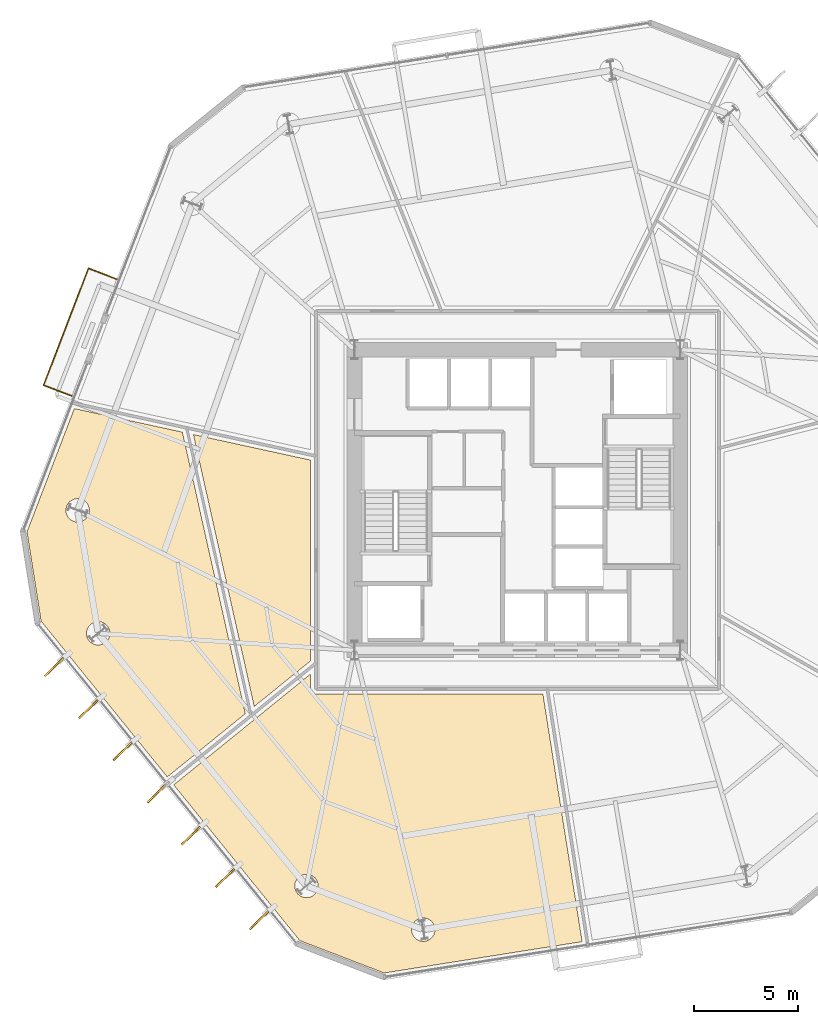
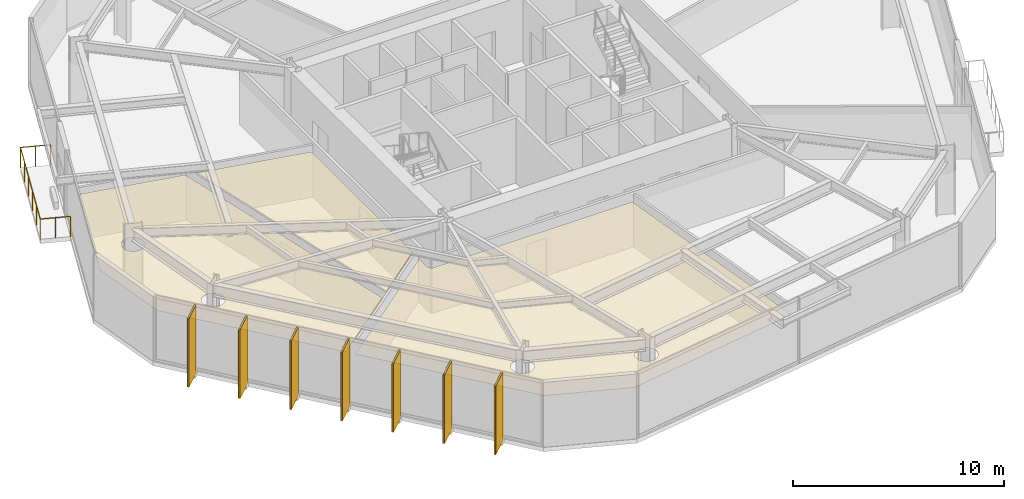
# One storey, part 9 of 11: 10 coverings, 7 shading devices, 1 railing.
"""IFC4 building model written with IfcOpenShell, lengths in metres."""

from ifc_helpers import new_model, si_unit, direction, frame, origin, origin_2d, place, context, subcontext, project, spatial, polyline, rectangle, circle, outline, extrude, material, layer, layer_set, type_object, element, save


model = new_model("IFC4")

# Units and contexts
model_context = context("Model", 3, precision=1e-05, world=origin(), true_north=direction((0.0, 1.0)))
body_context = subcontext(model_context, "Body", "Model", "MODEL_VIEW")
ifc_project = project(units=[si_unit("LENGTHUNIT", "METRE"), si_unit("AREAUNIT", "SQUARE_METRE"), si_unit("VOLUMEUNIT", "CUBIC_METRE"), si_unit("PLANEANGLEUNIT", "RADIAN"), si_unit("MASSUNIT", "GRAM", prefix="KILO")], contexts=[model_context])

# Site, building, storey
site_placement = place(None, origin())
site = spatial("IfcSite", under=ifc_project, at=site_placement, CompositionType="ELEMENT")
building_placement = place(site_placement, origin())
building = spatial("IfcBuilding", under=site, at=building_placement, Name="Kranzbogen Civic Tower", CompositionType="ELEMENT")
storey_placement = place(building_placement, frame((0.0, 0.0, 56.0)))
storey = spatial("IfcBuildingStorey", under=building, at=storey_placement, Name="L13", CompositionType="ELEMENT", Elevation=56.0)

# Coverings
ifc_material_1 = material(Name="Pale Anodised Aluminium", Category="aluminium")
ifc_layer_1 = layer(ifc_material_1, 0.02490234375, Name="Pale Anodised Aluminium")
ifc_layer_set_1 = layer_set([ifc_layer_1], Name="Pale Anodised Aluminium")
covering_type_1 = type_object("IfcCoveringType", Name="Anodised Aluminium Vertical Fin Cladding 25 mm", PredefinedType="CLADDING", material=ifc_layer_set_1)
for number, where, z_axis, x_axis, name in (
    (1, (2.819091796875, 17.0009765625, -0.139892578125), (0.0, 0.0, 1.0), (-0.716180145105, -0.697915467487, 0.0), "L13 vertical fin pale-metal cladding F4-1"),
    (2, (4.455078125, 14.97998046875, -0.139892578125), (0.0, 0.0, 1.0), (-0.716180145105, -0.697915467487, 0.0), "L13 vertical fin pale-metal cladding F4-2"),
    (3, (6.091064453125, 12.958984375, -0.139892578125), (0.0, 0.0, 1.0), (-0.716180145105, -0.697915467487, 0.0), "L13 vertical fin pale-metal cladding F4-3"),
    (4, (7.72705078125, 10.93896484375, -0.139892578125), (0.0, 0.0, 1.0), (-0.716180145105, -0.697915467487, 0.0), "L13 vertical fin pale-metal cladding F4-4"),
    (5, (9.363037109375, 8.91796875, -0.139892578125), (0.0, 0.0, 1.0), (-0.716180145105, -0.697915467487, 0.0), "L13 vertical fin pale-metal cladding F4-5"),
    (6, (11.0, 6.89697265625, -0.139892578125), (0.0, 0.0, 1.0), (-0.716180145105, -0.697915467487, 0.0), "L13 vertical fin pale-metal cladding F4-6"),
    (7, (12.635986328125, 4.876953125, -0.139892578125), (0.0, 0.0, 1.0), (-0.716180145105, -0.697915467487, 0.0), "L13 vertical fin pale-metal cladding F4-7"),
):
    element("IfcCovering", number, at=place(storey_placement, frame(where, z_axis=z_axis, x_axis=x_axis)), inside=storey, type_object=covering_type_1, Name=name, PredefinedType="CLADDING", context=body_context, shape_type="SweptSolid", body=[
        extrude(rectangle(XDim=1.25, YDim=0.10009765625, at=origin_2d()), origin(), (0.0, 0.0, 1.0), 3.9599609375),
    ])

# Shading devices
ifc_material_2 = material(Name="Anodised Bronze Aluminium", Category="aluminium")
shading_device_type = type_object("IfcShadingDeviceType", Name="Anodised Bronze Vertical Facade Fin 1250x80", PredefinedType="USERDEFINED", material=ifc_material_2)
for number, where, z_axis, x_axis, name in (
    (8, (2.819091796875, 17.0009765625, -0.139892578125), (0.0, 0.0, 1.0), (-0.716180145105, -0.697915467487, 0.0), "L13 vertical exterior shading fin F4-1"),
    (9, (4.455078125, 14.97998046875, -0.139892578125), (0.0, 0.0, 1.0), (-0.716180145105, -0.697915467487, 0.0), "L13 vertical exterior shading fin F4-2"),
    (10, (6.091064453125, 12.958984375, -0.139892578125), (0.0, 0.0, 1.0), (-0.716180145105, -0.697915467487, 0.0), "L13 vertical exterior shading fin F4-3"),
    (11, (7.72705078125, 10.93896484375, -0.139892578125), (0.0, 0.0, 1.0), (-0.716180145105, -0.697915467487, 0.0), "L13 vertical exterior shading fin F4-4"),
    (12, (9.363037109375, 8.91796875, -0.139892578125), (0.0, 0.0, 1.0), (-0.716180145105, -0.697915467487, 0.0), "L13 vertical exterior shading fin F4-5"),
    (13, (11.0, 6.89697265625, -0.139892578125), (0.0, 0.0, 1.0), (-0.716180145105, -0.697915467487, 0.0), "L13 vertical exterior shading fin F4-6"),
    (14, (12.635986328125, 4.876953125, -0.139892578125), (0.0, 0.0, 1.0), (-0.716180145105, -0.697915467487, 0.0), "L13 vertical exterior shading fin F4-7"),
):
    element("IfcShadingDevice", number, at=place(storey_placement, frame(where, z_axis=z_axis, x_axis=x_axis)), inside=storey, type_object=shading_device_type, Name=name, ObjectType="FIN", PredefinedType="USERDEFINED", context=body_context, shape_type="SweptSolid", body=[
        extrude(rectangle(XDim=1.25, YDim=0.080078125, at=origin_2d()), origin(), (0.0, 0.0, 1.0), 3.9599609375),
    ])

# Railing
railing_type = type_object("IfcRailingType", Name="Cantilevered Balcony Glass and Bronze Balustrade 1200", PredefinedType="BALUSTRADE", material=ifc_material_2)
railing_placement = place(storey_placement, frame((5.81591796875, 35.576904296875, 0.0)))
element("IfcRailing", 15, at=railing_placement, inside=storey, type_object=railing_type, Name="L13 exterior terrace balustrade L13-TB1", PredefinedType="BALUSTRADE", context=body_context, shape_type="SweptSolid", body=[
    extrude(circle(Radius=0.02392578125, at=origin_2d()), frame((0.0, 0.0, 1.17578125), z_axis=(-0.933519025959, 0.358527862476, 0.0), x_axis=(-0.358527862476, -0.933519025959, 0.0)), (0.0, 0.0, 1.0), 1.450439453125),
    extrude(circle(Radius=0.02392578125, at=origin_2d()), frame((-1.35400390625, 0.52001953125, 1.17578125), z_axis=(-0.358359975202, -0.933583487522, 0.0), x_axis=(0.933583487522, -0.358359975202, 0.0)), (0.0, 0.0, 1.0), 5.999267578125),
    extrude(circle(Radius=0.02392578125, at=origin_2d()), frame((-3.50390625, -5.080810546875, 1.17578125), z_axis=(0.933519025959, -0.358527862476, 0.0), x_axis=(0.358527862476, 0.933519025959, 0.0)), (0.0, 0.0, 1.0), 1.450439453125),
    extrude(circle(Radius=0.02099609375, at=origin_2d()), origin(), (0.0, 0.0, 1.0), 1.15185546875),
    extrude(circle(Radius=0.02099609375, at=origin_2d()), frame((-0.677001953125, 0.260009765625, 0.0)), (0.0, 0.0, 1.0), 1.15185546875),
    extrude(circle(Radius=0.02099609375, at=origin_2d()), frame((-1.35400390625, 0.52001953125, 0.0)), (0.0, 0.0, 1.0), 1.15185546875),
    extrude(circle(Radius=0.02099609375, at=origin_2d()), frame((-1.783935546875, -0.60009765625, 0.0)), (0.0, 0.0, 1.0), 1.15185546875),
    extrude(circle(Radius=0.02099609375, at=origin_2d()), frame((-2.2138671875, -1.72021484375, 0.0)), (0.0, 0.0, 1.0), 1.15185546875),
    extrude(circle(Radius=0.02099609375, at=origin_2d()), frame((-2.64404296875, -2.840576171875, 0.0)), (0.0, 0.0, 1.0), 1.15185546875),
    extrude(circle(Radius=0.02099609375, at=origin_2d()), frame((-3.073974609375, -3.960693359375, 0.0)), (0.0, 0.0, 1.0), 1.15185546875),
    extrude(circle(Radius=0.02099609375, at=origin_2d()), frame((-3.50390625, -5.080810546875, 0.0)), (0.0, 0.0, 1.0), 1.15185546875),
    extrude(circle(Radius=0.02099609375, at=origin_2d()), frame((-2.826904296875, -5.3408203125, 0.0)), (0.0, 0.0, 1.0), 1.15185546875),
    extrude(circle(Radius=0.02099609375, at=origin_2d()), frame((-2.14990234375, -5.600830078125, 0.0)), (0.0, 0.0, 1.0), 1.15185546875),
])

# Coverings
ifc_material_3 = material(Name="Perforated Acoustic Gypsum Ceiling")
ifc_layer_2 = layer(ifc_material_3, 0.02490234375, Name="Perforated Acoustic Gypsum Ceiling")
ifc_layer_set_2 = layer_set([ifc_layer_2], Name="Perforated Acoustic Gypsum Ceiling")
covering_type_2 = type_object("IfcCoveringType", Name="Perforated Acoustic Mineral Ceiling Tile 25 mm", PredefinedType="CEILING", material=ifc_layer_set_2)
covering_1_placement = place(storey_placement, frame((0.0, 0.0, 2.75)))
element("IfcCovering", 16, at=covering_1_placement, inside=storey, type_object=covering_type_2, Name="L13 Ministerial Policy Office acoustic ceiling", PredefinedType="CEILING", context=body_context, shape_type="SweptSolid", body=[
    extrude(outline(polyline([(15.10498046875, 17.302001953125), (12.39892578125, 15.111083984375), (9.487060546875, 28.134033203125), (15.10498046875, 26.908935546875), (15.10498046875, 17.302001953125)])), origin(), (0.0, 0.0, 1.0), 0.02490234375),
])
covering_2_placement = place(storey_placement, frame((0.0, 0.0, 2.75)))
element("IfcCovering", 17, at=covering_2_placement, inside=storey, type_object=covering_type_2, Name="L13 Directorate Admin Workspace acoustic ceiling", PredefinedType="CEILING", context=body_context, shape_type="SweptSolid", body=[
    extrude(outline(polyline([(3.784912109375, 29.37890625), (8.958984375, 28.25), (11.97412109375, 14.76708984375), (8.23388671875, 11.738037109375), (2.194091796875, 19.197998046875), (1.51806640625, 23.470947265625), (3.784912109375, 29.37890625)]), holes=[polyline([(5.445068359375, 18.39990234375), (5.4208984375, 18.35009765625), (5.39306640625, 18.302978515625), (5.360107421875, 18.259033203125), (5.323974609375, 18.218017578125), (5.282958984375, 18.181884765625), (5.239013671875, 18.14892578125), (5.19189453125, 18.12109375), (5.14208984375, 18.096923828125), (5.090087890625, 18.0791015625), (5.037109375, 18.06494140625), (4.98291015625, 18.056884765625), (4.927978515625, 18.054931640625), (4.873046875, 18.056884765625), (4.819091796875, 18.06494140625), (4.76611328125, 18.0791015625), (4.714111328125, 18.096923828125), (4.6640625, 18.12109375), (4.616943359375, 18.14892578125), (4.572998046875, 18.181884765625), (4.531982421875, 18.218017578125), (4.49609375, 18.259033203125), (4.462890625, 18.302978515625), (4.43505859375, 18.35009765625), (4.410888671875, 18.39990234375), (4.39306640625, 18.451904296875), (4.37890625, 18.5048828125), (4.37109375, 18.55908203125), (4.368896484375, 18.614013671875), (4.37109375, 18.6689453125), (4.37890625, 18.722900390625), (4.39306640625, 18.77587890625), (4.410888671875, 18.827880859375), (4.43505859375, 18.8779296875), (4.462890625, 18.925048828125), (4.49609375, 18.968994140625), (4.531982421875, 19.010009765625), (4.572998046875, 19.0458984375), (4.616943359375, 19.0791015625), (4.6640625, 19.10693359375), (4.714111328125, 19.131103515625), (4.76611328125, 19.14892578125), (4.819091796875, 19.1630859375), (4.873046875, 19.1708984375), (4.927978515625, 19.173095703125), (4.98291015625, 19.1708984375), (5.037109375, 19.1630859375), (5.090087890625, 19.14892578125), (5.14208984375, 19.131103515625), (5.19189453125, 19.10693359375), (5.239013671875, 19.0791015625), (5.282958984375, 19.0458984375), (5.323974609375, 19.010009765625), (5.360107421875, 18.968994140625), (5.39306640625, 18.925048828125), (5.4208984375, 18.8779296875), (5.445068359375, 18.827880859375), (5.462890625, 18.77587890625), (5.47705078125, 18.722900390625), (5.485107421875, 18.6689453125), (5.487060546875, 18.614013671875), (5.485107421875, 18.55908203125), (5.47705078125, 18.5048828125), (5.462890625, 18.451904296875), (5.445068359375, 18.39990234375)]), polyline([(4.4599609375, 24.2900390625), (4.43603515625, 24.239990234375), (4.407958984375, 24.193115234375), (4.375, 24.14892578125), (4.339111328125, 24.10791015625), (4.298095703125, 24.072021484375), (4.25390625, 24.0390625), (4.20703125, 24.010986328125), (4.156982421875, 23.987060546875), (4.10498046875, 23.968994140625), (4.052001953125, 23.955078125), (3.998046875, 23.947021484375), (3.943115234375, 23.945068359375), (3.887939453125, 23.947021484375), (3.833984375, 23.955078125), (3.781005859375, 23.968994140625), (3.72900390625, 23.987060546875), (3.678955078125, 24.010986328125), (3.632080078125, 24.0390625), (3.587890625, 24.072021484375), (3.547119140625, 24.10791015625), (3.510986328125, 24.14892578125), (3.47802734375, 24.193115234375), (3.449951171875, 24.239990234375), (3.426025390625, 24.2900390625), (3.407958984375, 24.342041015625), (3.39404296875, 24.39501953125), (3.385986328125, 24.448974609375), (3.384033203125, 24.50390625), (3.385986328125, 24.55908203125), (3.39404296875, 24.613037109375), (3.407958984375, 24.666015625), (3.426025390625, 24.718017578125), (3.449951171875, 24.76806640625), (3.47802734375, 24.81494140625), (3.510986328125, 24.85888671875), (3.547119140625, 24.89990234375), (3.587890625, 24.93603515625), (3.632080078125, 24.968994140625), (3.678955078125, 24.9970703125), (3.72900390625, 25.02099609375), (3.781005859375, 25.0390625), (3.833984375, 25.052978515625), (3.887939453125, 25.06103515625), (3.943115234375, 25.06298828125), (3.998046875, 25.06103515625), (4.052001953125, 25.052978515625), (4.10498046875, 25.0390625), (4.156982421875, 25.02099609375), (4.20703125, 24.9970703125), (4.25390625, 24.968994140625), (4.298095703125, 24.93603515625), (4.339111328125, 24.89990234375), (4.375, 24.85888671875), (4.407958984375, 24.81494140625), (4.43603515625, 24.76806640625), (4.4599609375, 24.718017578125), (4.47802734375, 24.666015625), (4.491943359375, 24.613037109375), (4.5, 24.55908203125), (4.501953125, 24.50390625), (4.5, 24.448974609375), (4.491943359375, 24.39501953125), (4.47802734375, 24.342041015625), (4.4599609375, 24.2900390625)])]), origin(), (0.0, 0.0, 1.0), 0.02490234375),
])
covering_3_placement = place(storey_placement, frame((0.0, 0.0, 2.75)))
element("IfcCovering", 18, at=covering_3_placement, inside=storey, type_object=covering_type_2, Name="L13 Refreshment Galley Pantry acoustic ceiling", PredefinedType="CEILING", context=body_context, shape_type="SweptSolid", body=[
    extrude(outline(polyline([(14.5830078125, 3.89794921875), (8.54296875, 11.35791015625), (15.10498046875, 16.672119140625), (15.10498046875, 15.949951171875), (15.10498046875, 15.94091796875), (15.10595703125, 15.93505859375), (15.10693359375, 15.9169921875), (15.10791015625, 15.910888671875), (15.112060546875, 15.89404296875), (15.113037109375, 15.886962890625), (15.117919921875, 15.8701171875), (15.1201171875, 15.864013671875), (15.126953125, 15.847900390625), (15.1298828125, 15.842041015625), (15.137939453125, 15.826904296875), (15.14208984375, 15.821044921875), (15.15087890625, 15.806884765625), (15.155029296875, 15.802001953125), (15.166015625, 15.7880859375), (15.1708984375, 15.782958984375), (15.18310546875, 15.77099609375), (15.18798828125, 15.76611328125), (15.201904296875, 15.7548828125), (15.20703125, 15.7509765625), (15.220947265625, 15.741943359375), (15.22705078125, 15.738037109375), (15.241943359375, 15.72998046875), (15.248046875, 15.72705078125), (15.263916015625, 15.719970703125), (15.27001953125, 15.718017578125), (15.287109375, 15.712890625), (15.2939453125, 15.7119140625), (15.31103515625, 15.7080078125), (15.31689453125, 15.70703125), (15.3349609375, 15.7060546875), (15.341064453125, 15.705078125), (15.35009765625, 15.705078125), (26.22412109375, 15.705078125), (28.10205078125, 3.85009765625), (18.62109375, 2.34912109375), (14.5830078125, 3.89794921875)]), holes=[polyline([(21.011962890625, 4.2099609375), (20.988037109375, 4.159912109375), (20.9599609375, 4.113037109375), (20.927001953125, 4.069091796875), (20.89111328125, 4.028076171875), (20.85009765625, 3.991943359375), (20.805908203125, 3.958984375), (20.759033203125, 3.930908203125), (20.708984375, 3.906982421875), (20.656982421875, 3.888916015625), (20.60400390625, 3.875), (20.550048828125, 3.866943359375), (20.4951171875, 3.864990234375), (20.43994140625, 3.866943359375), (20.385986328125, 3.875), (20.3330078125, 3.888916015625), (20.281005859375, 3.906982421875), (20.23095703125, 3.930908203125), (20.18408203125, 3.958984375), (20.139892578125, 3.991943359375), (20.09912109375, 4.028076171875), (20.06298828125, 4.069091796875), (20.030029296875, 4.113037109375), (20.001953125, 4.159912109375), (19.97802734375, 4.2099609375), (19.9599609375, 4.261962890625), (19.946044921875, 4.31494140625), (19.93798828125, 4.368896484375), (19.93603515625, 4.424072265625), (19.93798828125, 4.47900390625), (19.946044921875, 4.532958984375), (19.9599609375, 4.5859375), (19.97802734375, 4.637939453125), (20.001953125, 4.68798828125), (20.030029296875, 4.735107421875), (20.06298828125, 4.779052734375), (20.09912109375, 4.820068359375), (20.139892578125, 4.85595703125), (20.18408203125, 4.888916015625), (20.23095703125, 4.9169921875), (20.281005859375, 4.94091796875), (20.3330078125, 4.958984375), (20.385986328125, 4.972900390625), (20.43994140625, 4.98095703125), (20.4951171875, 4.98291015625), (20.550048828125, 4.98095703125), (20.60400390625, 4.972900390625), (20.656982421875, 4.958984375), (20.708984375, 4.94091796875), (20.759033203125, 4.9169921875), (20.805908203125, 4.888916015625), (20.85009765625, 4.85595703125), (20.89111328125, 4.820068359375), (20.927001953125, 4.779052734375), (20.9599609375, 4.735107421875), (20.988037109375, 4.68798828125), (21.011962890625, 4.637939453125), (21.030029296875, 4.5859375), (21.0439453125, 4.532958984375), (21.052001953125, 4.47900390625), (21.053955078125, 4.424072265625), (21.052001953125, 4.368896484375), (21.0439453125, 4.31494140625), (21.030029296875, 4.261962890625), (21.011962890625, 4.2099609375)]), polyline([(15.41796875, 6.302001953125), (15.39404296875, 6.251953125), (15.365966796875, 6.205078125), (15.3330078125, 6.160888671875), (15.297119140625, 6.1201171875), (15.256103515625, 6.083984375), (15.2119140625, 6.051025390625), (15.1650390625, 6.02294921875), (15.114990234375, 5.9990234375), (15.06298828125, 5.98095703125), (15.010009765625, 5.967041015625), (14.9560546875, 5.958984375), (14.90087890625, 5.95703125), (14.845947265625, 5.958984375), (14.7919921875, 5.967041015625), (14.739013671875, 5.98095703125), (14.68701171875, 5.9990234375), (14.636962890625, 6.02294921875), (14.590087890625, 6.051025390625), (14.5458984375, 6.083984375), (14.5048828125, 6.1201171875), (14.468994140625, 6.160888671875), (14.43603515625, 6.205078125), (14.407958984375, 6.251953125), (14.384033203125, 6.302001953125), (14.365966796875, 6.35400390625), (14.35205078125, 6.406982421875), (14.343994140625, 6.4609375), (14.342041015625, 6.51611328125), (14.343994140625, 6.571044921875), (14.35205078125, 6.625), (14.365966796875, 6.677978515625), (14.384033203125, 6.72998046875), (14.407958984375, 6.780029296875), (14.43603515625, 6.826904296875), (14.468994140625, 6.87109375), (14.5048828125, 6.912109375), (14.5458984375, 6.947998046875), (14.590087890625, 6.98095703125), (14.636962890625, 7.009033203125), (14.68701171875, 7.032958984375), (14.739013671875, 7.051025390625), (14.7919921875, 7.06494140625), (14.845947265625, 7.072998046875), (14.90087890625, 7.074951171875), (14.9560546875, 7.072998046875), (15.010009765625, 7.06494140625), (15.06298828125, 7.051025390625), (15.114990234375, 7.032958984375), (15.1650390625, 7.009033203125), (15.2119140625, 6.98095703125), (15.256103515625, 6.947998046875), (15.297119140625, 6.912109375), (15.3330078125, 6.87109375), (15.365966796875, 6.826904296875), (15.39404296875, 6.780029296875), (15.41796875, 6.72998046875), (15.43603515625, 6.677978515625), (15.449951171875, 6.625), (15.4580078125, 6.571044921875), (15.4599609375, 6.51611328125), (15.4580078125, 6.4609375), (15.449951171875, 6.406982421875), (15.43603515625, 6.35400390625), (15.41796875, 6.302001953125)])]), origin(), (0.0, 0.0, 1.0), 0.02490234375),
])

save(model, "model.ifc")
